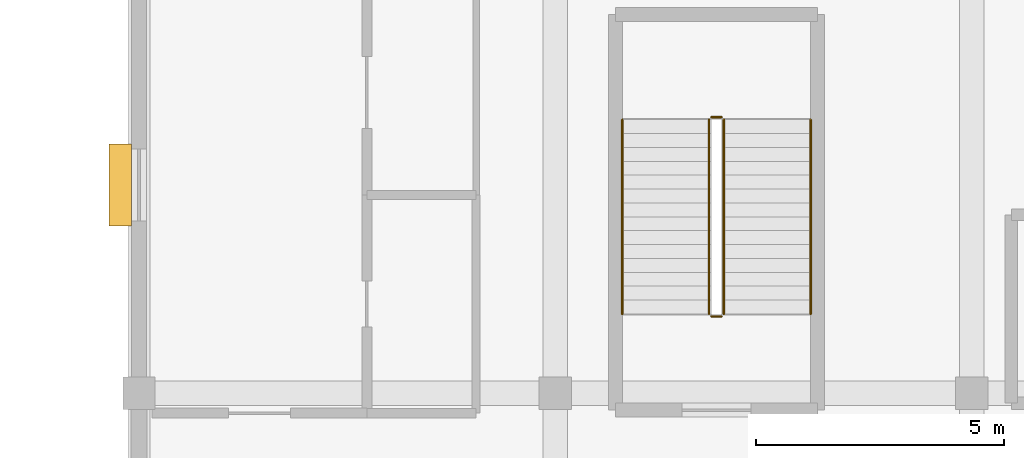
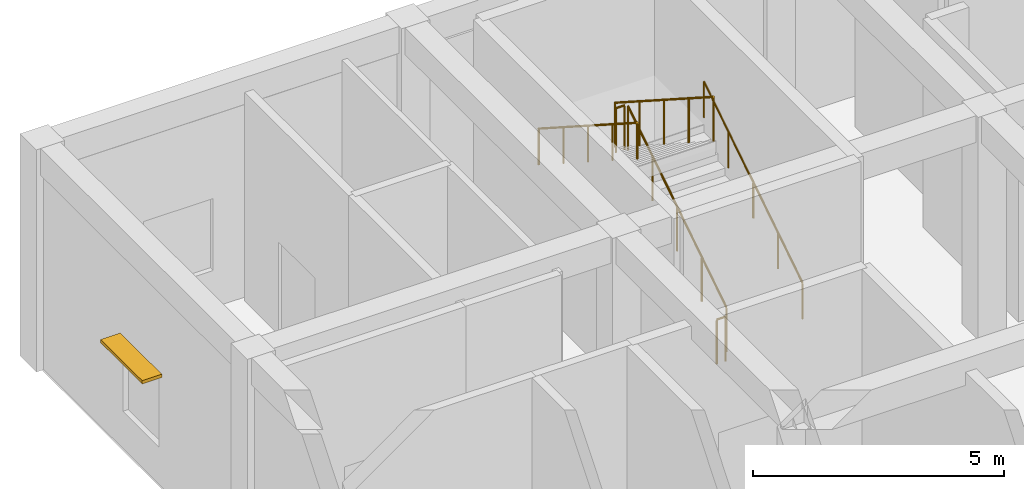
# One storey, part 77 of 89: 6 railings, 1 shading device.
"""IFC4 building model written with IfcOpenShell, lengths in metres."""

from ifc_helpers import new_model, si_unit, direction, frame, origin, origin_2d, place, context, subcontext, project, spatial, rectangle, circle, extrude, material, layer, layer_set, type_object, element, save


model = new_model("IFC4")

# Units and contexts
model_context = context("Model", 3, precision=1e-05, world=origin(), true_north=direction((0.0, 1.0)))
body_context = subcontext(model_context, "Body", "Model", "MODEL_VIEW")
ifc_project = project(units=[si_unit("LENGTHUNIT", "METRE"), si_unit("AREAUNIT", "SQUARE_METRE"), si_unit("VOLUMEUNIT", "CUBIC_METRE"), si_unit("PLANEANGLEUNIT", "RADIAN"), si_unit("MASSUNIT", "GRAM", prefix="KILO")], contexts=[model_context])

# Site, building, storey
site_placement = place(None, origin())
site = spatial("IfcSite", under=ifc_project, at=site_placement, CompositionType="ELEMENT")
building_placement = place(site_placement, origin())
building = spatial("IfcBuilding", under=site, at=building_placement, Name="Varncliffe General Hospital", CompositionType="ELEMENT")
storey_placement = place(building_placement, frame((0.0, 0.0, 10.800048828125)))
storey = spatial("IfcBuildingStorey", under=building, at=storey_placement, Name="L02", CompositionType="ELEMENT", Elevation=10.800048828125)

# Shading device
ifc_material_1 = material(Name="Dark bronze extruded aluminium solar jalousie louvres", Category="aluminium")
ifc_layer = layer(ifc_material_1, 0.080078125)
ifc_layer_set = layer_set([ifc_layer], Name="Dark bronze extruded aluminium solar jalousie louvres")
shading_device_type = type_object("IfcShadingDeviceType", Name="Bronze Solar Jalousie Louvre Hood SHD18", PredefinedType="JALOUSIE", material=ifc_layer_set)
shading_device_placement = place(storey_placement, frame((-0.3798828125, 120.60009765625, 2.659912109375), z_axis=(0.0, 0.0, 1.0), x_axis=(0.0, 1.0, 0.0)))
element("IfcShadingDevice", 1, at=shading_device_placement, inside=storey, type_object=shading_device_type, Name="L02 Bronze Window Sun-Shading Louvre 44", PredefinedType="JALOUSIE", context=body_context, shape_type="SweptSolid", body=[
    extrude(rectangle(XDim=1.64990234375, YDim=0.449951171875, at=origin_2d()), origin(), (0.0, 0.0, 1.0), 0.080078125),
])

# Railings
ifc_material_2 = material(Name="Powder-coated hospital steel guardrail and handrail", Category="steel")
railing_type_1 = type_object("IfcRailingType", Name="Stair and Ramp Handrail HR46", PredefinedType="HANDRAIL", material=ifc_material_2)
railing_1_placement = place(storey_placement, frame((13.550048828125, 118.0, 0.364013671875)))
element("IfcRailing", 2, at=railing_1_placement, inside=storey, type_object=railing_type_1, Name="L02 ST01 stair handrail 1", PredefinedType="HANDRAIL", context=body_context, shape_type="SweptSolid", body=[
    extrude(circle(Radius=0.02392578125, at=origin_2d()), frame((0.0, 0.0, 0.8759765625), z_axis=(0.0, 0.841171666519, 0.540768182723), x_axis=(-1.0, 0.0, 0.0)), (0.0, 0.0, 1.0), 4.66015625),
    extrude(circle(Radius=0.02099609375, at=origin_2d()), origin(), (0.0, 0.0, 1.0), 0.851806640625),
    extrude(circle(Radius=0.02099609375, at=origin_2d()), frame((0.0, 0.97998046875, 0.6298828125)), (0.0, 0.0, 1.0), 0.851806640625),
    extrude(circle(Radius=0.02099609375, at=origin_2d()), frame((0.0, 1.9599609375, 1.260009765625)), (0.0, 0.0, 1.0), 0.851806640625),
    extrude(circle(Radius=0.02099609375, at=origin_2d()), frame((0.0, 2.93994140625, 1.89013671875)), (0.0, 0.0, 1.0), 0.851806640625),
    extrude(circle(Radius=0.02099609375, at=origin_2d()), frame((0.0, 3.919921875, 2.52001953125)), (0.0, 0.0, 1.0), 0.851806640625),
])
railing_2_placement = place(storey_placement, frame((9.75, 121.919921875, 3.06396484375)))
element("IfcRailing", 3, at=railing_2_placement, inside=storey, type_object=railing_type_1, Name="L02 ST01 stair handrail 2", PredefinedType="HANDRAIL", context=body_context, shape_type="SweptSolid", body=[
    extrude(circle(Radius=0.02392578125, at=origin_2d()), frame((0.0, 0.0, 0.8759765625), z_axis=(0.0, -0.841171666519, 0.540768182723), x_axis=(1.0, 0.0, 0.0)), (0.0, 0.0, 1.0), 4.66015625),
    extrude(circle(Radius=0.02099609375, at=origin_2d()), origin(), (0.0, 0.0, 1.0), 0.851806640625),
    extrude(circle(Radius=0.02099609375, at=origin_2d()), frame((0.0, -0.97998046875, 0.6298828125)), (0.0, 0.0, 1.0), 0.851806640625),
    extrude(circle(Radius=0.02099609375, at=origin_2d()), frame((0.0, -1.9599609375, 1.260009765625)), (0.0, 0.0, 1.0), 0.851806640625),
    extrude(circle(Radius=0.02099609375, at=origin_2d()), frame((0.0, -2.93994140625, 1.89013671875)), (0.0, 0.0, 1.0), 0.851806640625),
    extrude(circle(Radius=0.02099609375, at=origin_2d()), frame((0.0, -3.919921875, 2.52001953125)), (0.0, 0.0, 1.0), 0.851806640625),
])
railing_type_2 = type_object("IfcRailingType", Name="Stairwell Guardrail SG49", PredefinedType="GUARDRAIL", material=ifc_material_2)
railing_3_placement = place(storey_placement, frame((11.800048828125, 118.0, 0.179931640625)))
element("IfcRailing", 4, at=railing_3_placement, inside=storey, type_object=railing_type_2, Name="L02 ST01 stair guard 1", PredefinedType="GUARDRAIL", context=body_context, shape_type="SweptSolid", body=[
    extrude(circle(Radius=0.02392578125, at=origin_2d()), frame((0.0, 0.0, 1.076171875), z_axis=(0.0, 0.841171666519, 0.540768182723), x_axis=(-1.0, 0.0, 0.0)), (0.0, 0.0, 1.0), 4.66015625),
    extrude(circle(Radius=0.02099609375, at=origin_2d()), origin(), (0.0, 0.0, 1.0), 1.052001953125),
    extrude(circle(Radius=0.02099609375, at=origin_2d()), frame((0.0, 0.97998046875, 0.6298828125)), (0.0, 0.0, 1.0), 1.052001953125),
    extrude(circle(Radius=0.02099609375, at=origin_2d()), frame((0.0, 1.9599609375, 1.260009765625)), (0.0, 0.0, 1.0), 1.052001953125),
    extrude(circle(Radius=0.02099609375, at=origin_2d()), frame((0.0, 2.93994140625, 1.89013671875)), (0.0, 0.0, 1.0), 1.052001953125),
    extrude(circle(Radius=0.02099609375, at=origin_2d()), frame((0.0, 3.919921875, 2.52001953125)), (0.0, 0.0, 1.0), 1.052001953125),
])
railing_4_placement = place(storey_placement, frame((11.75, 121.969970703125, 2.699951171875)))
element("IfcRailing", 5, at=railing_4_placement, inside=storey, type_object=railing_type_2, Name="L02 ST01 stair guard 2", PredefinedType="GUARDRAIL", context=body_context, shape_type="SweptSolid", body=[
    extrude(circle(Radius=0.02392578125, at=origin_2d()), frame((0.0, 0.0, 1.076171875), z_axis=(-1.0, 0.0, 0.0), x_axis=(0.0, -1.0, 0.0)), (0.0, 0.0, 1.0), 0.199951171875),
    extrude(circle(Radius=0.02099609375, at=origin_2d()), origin(), (0.0, 0.0, 1.0), 1.052001953125),
    extrude(circle(Radius=0.02099609375, at=origin_2d()), frame((-0.199951171875, 0.0, 0.0)), (0.0, 0.0, 1.0), 1.052001953125),
])
railing_5_placement = place(storey_placement, frame((11.5, 121.919921875, 2.8798828125)))
element("IfcRailing", 6, at=railing_5_placement, inside=storey, type_object=railing_type_2, Name="L02 ST01 stair guard 3", PredefinedType="GUARDRAIL", context=body_context, shape_type="SweptSolid", body=[
    extrude(circle(Radius=0.02392578125, at=origin_2d()), frame((0.0, 0.0, 1.076171875), z_axis=(0.0, -0.841171666519, 0.540768182723), x_axis=(1.0, 0.0, 0.0)), (0.0, 0.0, 1.0), 4.66015625),
    extrude(circle(Radius=0.02099609375, at=origin_2d()), origin(), (0.0, 0.0, 1.0), 1.052001953125),
    extrude(circle(Radius=0.02099609375, at=origin_2d()), frame((0.0, -0.97998046875, 0.6298828125)), (0.0, 0.0, 1.0), 1.052001953125),
    extrude(circle(Radius=0.02099609375, at=origin_2d()), frame((0.0, -1.9599609375, 1.260009765625)), (0.0, 0.0, 1.0), 1.052001953125),
    extrude(circle(Radius=0.02099609375, at=origin_2d()), frame((0.0, -2.93994140625, 1.89013671875)), (0.0, 0.0, 1.0), 1.052001953125),
    extrude(circle(Radius=0.02099609375, at=origin_2d()), frame((0.0, -3.919921875, 2.52001953125)), (0.0, 0.0, 1.0), 1.052001953125),
])
railing_6_placement = place(storey_placement, frame((11.75, 117.949951171875, 0.0)))
element("IfcRailing", 7, at=railing_6_placement, inside=storey, type_object=railing_type_2, Name="L02 ST01 stair guard 4", PredefinedType="GUARDRAIL", context=body_context, shape_type="SweptSolid", body=[
    extrude(circle(Radius=0.02392578125, at=origin_2d()), frame((0.0, 0.0, 1.076171875), z_axis=(-1.0, 0.0, 0.0), x_axis=(0.0, -1.0, 0.0)), (0.0, 0.0, 1.0), 0.199951171875),
    extrude(circle(Radius=0.02099609375, at=origin_2d()), origin(), (0.0, 0.0, 1.0), 1.052001953125),
    extrude(circle(Radius=0.02099609375, at=origin_2d()), frame((-0.199951171875, 0.0, 0.0)), (0.0, 0.0, 1.0), 1.052001953125),
])

save(model, "model.ifc")
